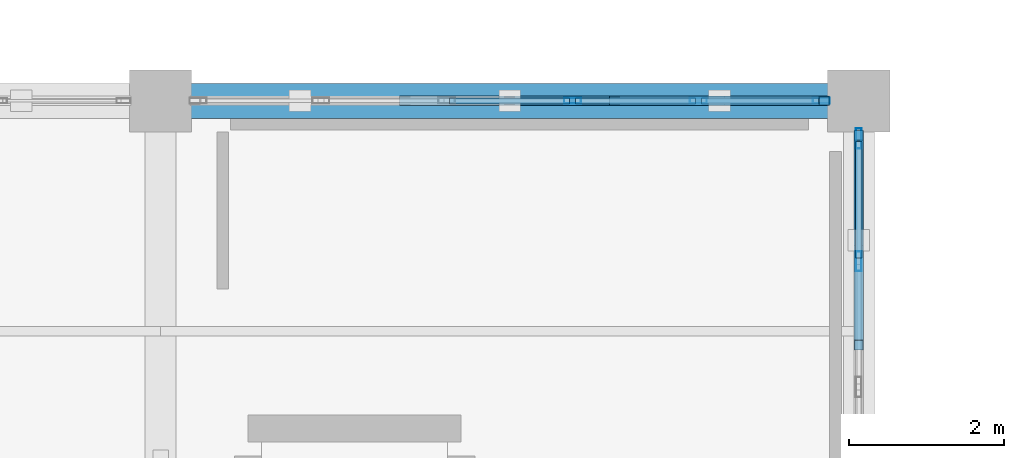
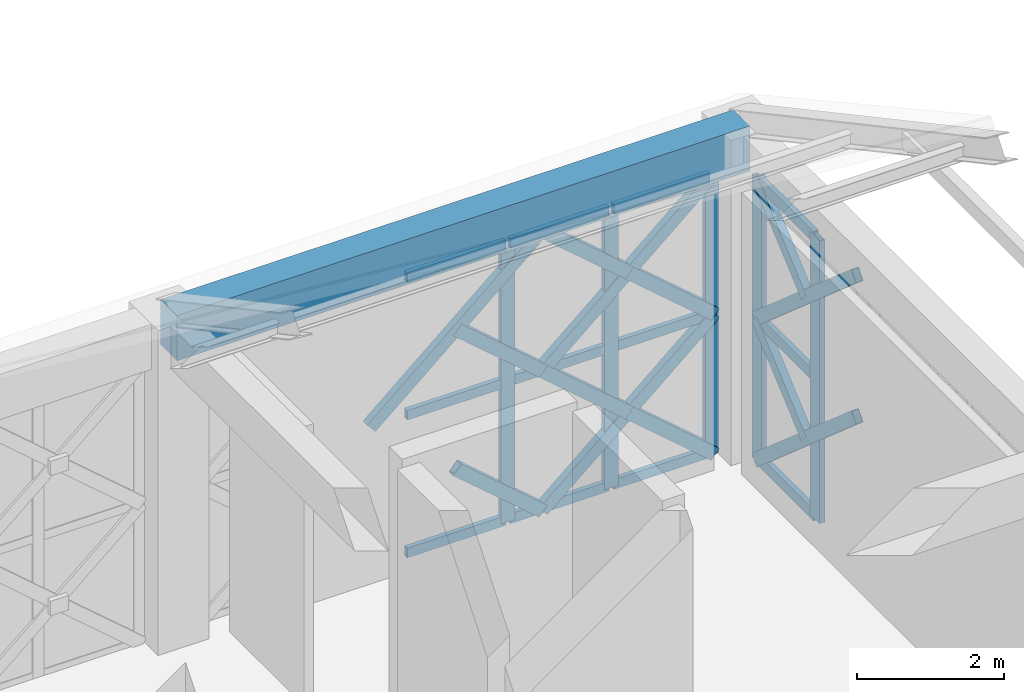
# One storey, part 60 of 86: 30 members, 1 beam, 2 elements without a shape of their own.
"""IFC4 building model written with IfcOpenShell, lengths in metres."""

from ifc_helpers import new_model, si_unit, direction, frame, origin, origin_2d, place, context, subcontext, project, spatial, rectangle, hollow_rectangle, extrude, material, material_profile, profile_set, type_object, element, aggregate, save


model = new_model("IFC4")

# Units and contexts
model_context = context("Model", 3, precision=1e-05, world=origin(), true_north=direction((0.0, 1.0)))
body_context = subcontext(model_context, "Body", "Model", "MODEL_VIEW")
ifc_project = project(units=[si_unit("LENGTHUNIT", "METRE"), si_unit("AREAUNIT", "SQUARE_METRE"), si_unit("VOLUMEUNIT", "CUBIC_METRE"), si_unit("PLANEANGLEUNIT", "RADIAN"), si_unit("MASSUNIT", "GRAM", prefix="KILO")], contexts=[model_context])

# Site, building, storey
site_placement = place(None, origin())
site = spatial("IfcSite", under=ifc_project, at=site_placement, CompositionType="ELEMENT")
building_placement = place(site_placement, origin())
building = spatial("IfcBuilding", under=site, at=building_placement, Name="Haizhuo Lancet Aquarium", CompositionType="ELEMENT")
storey_placement = place(building_placement, frame((0.0, 0.0, 16.199951171875)))
storey = spatial("IfcBuildingStorey", under=building, at=storey_placement, Name="L03", CompositionType="ELEMENT", Elevation=16.199951171875)

# Beam
ifc_material_1 = material(Name="Concrete C40/50", Category="concrete")
ifc_material_profile_1 = material_profile(ifc_material_1, rectangle(XDim=0.449951171875, YDim=0.75, at=origin_2d()), Name="RC-BM 450x750")
ifc_profile_set_1 = profile_set([ifc_material_profile_1], Name="Concrete C40/50")
beam_type = type_object("IfcBeamType", Name="BM-RC-450x750", PredefinedType="BEAM", material=ifc_profile_set_1)
beam_placement = place(storey_placement, frame((63.0, -9.0, 5.025146484375), z_axis=(1.0, 0.0, 0.0), x_axis=(0.0, 1.0, 0.0)))
element("IfcBeam", 1, at=beam_placement, inside=storey, type_object=beam_type, Name="L03 V3 primary girder BM-L03-V3-030", PredefinedType="BEAM", context=body_context, shape_type="SweptSolid", body=[
    extrude(rectangle(XDim=0.449951171875, YDim=0.75, at=origin_2d()), origin(), (0.0, 0.0, 1.0), 9.0),
])

# Curtain wall, members
ifc_material_2 = material(Name="Aluminium 6063-T6", Category="aluminium")
curtain_wall_type_1 = type_object("IfcCurtainWallType", Name="CWO-8110x4650", PredefinedType="NOTDEFINED", material=ifc_material_2)
curtain_wall_1_placement = place(storey_placement, origin())
curtain_wall_1 = element("IfcCurtainWall", 2, at=curtain_wall_1_placement, inside=storey, type_object=curtain_wall_type_1, Name="L03 curtain wall CW-V3-L03-071", PredefinedType="NOTDEFINED")
ifc_material_profile_2 = material_profile(ifc_material_2, hollow_rectangle(XDim=0.074951171875, YDim=0.219970703125, WallThickness=0.0048828125, at=origin_2d()), Name="ALU-M 75x220x5")
ifc_profile_set_2 = profile_set([ifc_material_profile_2], Name="Aluminium 6063-T6")
member_type_1 = type_object("IfcMemberType", Name="CW-MUL-2", PredefinedType="MULLION", material=ifc_profile_set_2)
member_1_placement = place(storey_placement, frame((68.31103515625, -9.0, 0.0), z_axis=(0.0, 0.0, 1.0), x_axis=(0.0, 1.0, 0.0)))
member_1 = element("IfcMember", 3, at=member_1_placement, type_object=member_type_1, Name="CWO-81x46 mullion 4", PredefinedType="MULLION", context=body_context, shape_type="SweptSolid", body=[
    extrude(hollow_rectangle(XDim=0.074951171875, YDim=0.219970703125, WallThickness=0.0048828125, at=origin_2d()), origin(), (0.0, 0.0, 1.0), 4.650146484375),
])
member_2_placement = place(storey_placement, frame((69.93310546875, -9.0, 0.0), z_axis=(0.0, 0.0, 1.0), x_axis=(0.0, 1.0, 0.0)))
member_2 = element("IfcMember", 4, at=member_2_placement, type_object=member_type_1, Name="CWO-81x46 mullion 5", PredefinedType="MULLION", context=body_context, shape_type="SweptSolid", body=[
    extrude(hollow_rectangle(XDim=0.074951171875, YDim=0.219970703125, WallThickness=0.0048828125, at=origin_2d()), origin(), (0.0, 0.0, 1.0), 4.650146484375),
])
member_3_placement = place(storey_placement, frame((71.51806640625, -9.0, 0.0), z_axis=(0.0, 0.0, 1.0), x_axis=(0.0, 1.0, 0.0)))
member_3 = element("IfcMember", 5, at=member_3_placement, type_object=member_type_1, Name="CWO-81x46 mullion 6", PredefinedType="MULLION", context=body_context, shape_type="SweptSolid", body=[
    extrude(hollow_rectangle(XDim=0.074951171875, YDim=0.219970703125, WallThickness=0.0048828125, at=origin_2d()), origin(), (0.0, 0.0, 1.0), 4.650146484375),
])

curtain_wall_type_2 = type_object("IfcCurtainWallType", Name="CWO-8110x4700", PredefinedType="NOTDEFINED", material=ifc_material_2)
curtain_wall_2_placement = place(storey_placement, origin())
curtain_wall_2 = element("IfcCurtainWall", 6, at=curtain_wall_2_placement, inside=storey, type_object=curtain_wall_type_2, Name="L03 curtain wall CW-V3-L03-072", PredefinedType="NOTDEFINED")
ifc_material_profile_3 = material_profile(ifc_material_2, hollow_rectangle(XDim=0.080078125, YDim=0.260009765625, WallThickness=0.0048828125, at=origin_2d()), Name="ALU-M 80x260x5")
ifc_profile_set_3 = profile_set([ifc_material_profile_3], Name="Aluminium 6063-T6")
member_type_2 = type_object("IfcMemberType", Name="CW-MUL-3", PredefinedType="MULLION", material=ifc_profile_set_3)
member_4_placement = place(storey_placement, frame((72.0, -9.485107421875, 0.0), z_axis=(0.0, 0.0, 1.0), x_axis=(1.0, 0.0, 0.0)))
member_4 = element("IfcMember", 7, at=member_4_placement, type_object=member_type_2, Name="CWO-81x47 mullion 1", PredefinedType="MULLION", context=body_context, shape_type="SweptSolid", body=[
    extrude(hollow_rectangle(XDim=0.080078125, YDim=0.260009765625, WallThickness=0.0048828125, at=origin_2d()), origin(), (0.0, 0.0, 1.0), 4.699951171875),
])
member_5_placement = place(storey_placement, frame((72.0, -11.06689453125, 0.0), z_axis=(0.0, 0.0, 1.0), x_axis=(1.0, 0.0, 0.0)))
member_5 = element("IfcMember", 8, at=member_5_placement, type_object=member_type_2, Name="CWO-81x47 mullion 2", PredefinedType="MULLION", context=body_context, shape_type="SweptSolid", body=[
    extrude(hollow_rectangle(XDim=0.080078125, YDim=0.260009765625, WallThickness=0.0048828125, at=origin_2d()), origin(), (0.0, 0.0, 1.0), 4.699951171875),
])

# Member
ifc_material_profile_4 = material_profile(ifc_material_2, hollow_rectangle(XDim=0.074951171875, YDim=0.159912109375, WallThickness=0.00390625, at=origin_2d()), Name="ALU-T 75x160x4")
ifc_profile_set_4 = profile_set([ifc_material_profile_4], Name="Aluminium 6063-T6")
member_type_3 = type_object("IfcMemberType", Name="CW-TRN-2", PredefinedType="NOTDEFINED", material=ifc_profile_set_4)
member_6_placement = place(storey_placement, frame((66.72705078125, -9.0, 0.0380859375), z_axis=(1.0, 0.0, 0.0), x_axis=(0.0, 1.0, 0.0)))
member_6 = element("IfcMember", 9, at=member_6_placement, type_object=member_type_3, Name="CWO-81x46 transom 3.1", ObjectType="TRANSOM", PredefinedType="USERDEFINED", context=body_context, shape_type="SweptSolid", body=[
    extrude(hollow_rectangle(XDim=0.074951171875, YDim=0.159912109375, WallThickness=0.00390625, at=origin_2d()), origin(), (0.0, 0.0, 1.0), 1.5458984375),
])

member_7_placement = place(storey_placement, frame((66.72705078125, -9.0, 2.324951171875), z_axis=(1.0, 0.0, 0.0), x_axis=(0.0, 1.0, 0.0)))
member_7 = element("IfcMember", 10, at=member_7_placement, type_object=member_type_3, Name="CWO-81x46 transom 3.2", ObjectType="TRANSOM", PredefinedType="USERDEFINED", context=body_context, shape_type="SweptSolid", body=[
    extrude(hollow_rectangle(XDim=0.074951171875, YDim=0.159912109375, WallThickness=0.00390625, at=origin_2d()), origin(), (0.0, 0.0, 1.0), 1.5458984375),
])

member_8_placement = place(storey_placement, frame((66.72705078125, -9.0, 4.612060546875), z_axis=(1.0, 0.0, 0.0), x_axis=(0.0, 1.0, 0.0)))
member_8 = element("IfcMember", 11, at=member_8_placement, type_object=member_type_3, Name="CWO-81x46 transom 3.3", ObjectType="TRANSOM", PredefinedType="USERDEFINED", context=body_context, shape_type="SweptSolid", body=[
    extrude(hollow_rectangle(XDim=0.074951171875, YDim=0.159912109375, WallThickness=0.00390625, at=origin_2d()), origin(), (0.0, 0.0, 1.0), 1.5458984375),
])

member_9_placement = place(storey_placement, frame((68.34912109375, -9.0, 0.0380859375), z_axis=(1.0, 0.0, 0.0), x_axis=(0.0, 1.0, 0.0)))
member_9 = element("IfcMember", 12, at=member_9_placement, type_object=member_type_3, Name="CWO-81x46 transom 4.1", ObjectType="TRANSOM", PredefinedType="USERDEFINED", context=body_context, shape_type="SweptSolid", body=[
    extrude(hollow_rectangle(XDim=0.074951171875, YDim=0.159912109375, WallThickness=0.00390625, at=origin_2d()), origin(), (0.0, 0.0, 1.0), 1.5458984375),
])

member_10_placement = place(storey_placement, frame((68.34912109375, -9.0, 2.324951171875), z_axis=(1.0, 0.0, 0.0), x_axis=(0.0, 1.0, 0.0)))
member_10 = element("IfcMember", 13, at=member_10_placement, type_object=member_type_3, Name="CWO-81x46 transom 4.2", ObjectType="TRANSOM", PredefinedType="USERDEFINED", context=body_context, shape_type="SweptSolid", body=[
    extrude(hollow_rectangle(XDim=0.074951171875, YDim=0.159912109375, WallThickness=0.00390625, at=origin_2d()), origin(), (0.0, 0.0, 1.0), 1.5458984375),
])

member_11_placement = place(storey_placement, frame((68.34912109375, -9.0, 4.612060546875), z_axis=(1.0, 0.0, 0.0), x_axis=(0.0, 1.0, 0.0)))
member_11 = element("IfcMember", 14, at=member_11_placement, type_object=member_type_3, Name="CWO-81x46 transom 4.3", ObjectType="TRANSOM", PredefinedType="USERDEFINED", context=body_context, shape_type="SweptSolid", body=[
    extrude(hollow_rectangle(XDim=0.074951171875, YDim=0.159912109375, WallThickness=0.00390625, at=origin_2d()), origin(), (0.0, 0.0, 1.0), 1.5458984375),
])

member_12_placement = place(storey_placement, frame((69.970947265625, -9.0, 0.0380859375), z_axis=(1.0, 0.0, 0.0), x_axis=(0.0, 1.0, 0.0)))
member_12 = element("IfcMember", 15, at=member_12_placement, type_object=member_type_3, Name="CWO-81x46 transom 5.1", ObjectType="TRANSOM", PredefinedType="USERDEFINED", context=body_context, shape_type="SweptSolid", body=[
    extrude(hollow_rectangle(XDim=0.074951171875, YDim=0.159912109375, WallThickness=0.00390625, at=origin_2d()), origin(), (0.0, 0.0, 1.0), 1.509033203125),
])

member_13_placement = place(storey_placement, frame((69.970947265625, -9.0, 2.324951171875), z_axis=(1.0, 0.0, 0.0), x_axis=(0.0, 1.0, 0.0)))
member_13 = element("IfcMember", 16, at=member_13_placement, type_object=member_type_3, Name="CWO-81x46 transom 5.2", ObjectType="TRANSOM", PredefinedType="USERDEFINED", context=body_context, shape_type="SweptSolid", body=[
    extrude(hollow_rectangle(XDim=0.074951171875, YDim=0.159912109375, WallThickness=0.00390625, at=origin_2d()), origin(), (0.0, 0.0, 1.0), 1.509033203125),
])

member_14_placement = place(storey_placement, frame((69.970947265625, -9.0, 4.612060546875), z_axis=(1.0, 0.0, 0.0), x_axis=(0.0, 1.0, 0.0)))
member_14 = element("IfcMember", 17, at=member_14_placement, type_object=member_type_3, Name="CWO-81x46 transom 5.3", ObjectType="TRANSOM", PredefinedType="USERDEFINED", context=body_context, shape_type="SweptSolid", body=[
    extrude(hollow_rectangle(XDim=0.074951171875, YDim=0.159912109375, WallThickness=0.00390625, at=origin_2d()), origin(), (0.0, 0.0, 1.0), 1.509033203125),
])

aggregate(curtain_wall_1, [member_1, member_2, member_3, member_6, member_7, member_8, member_9, member_10, member_11, member_12, member_13, member_14])

ifc_material_profile_5 = material_profile(ifc_material_2, hollow_rectangle(XDim=0.080078125, YDim=0.18994140625, WallThickness=0.0048828125, at=origin_2d()), Name="ALU-T 80x190x5")
ifc_profile_set_5 = profile_set([ifc_material_profile_5], Name="Aluminium 6063-T6")
member_type_4 = type_object("IfcMemberType", Name="CW-TRN-3", PredefinedType="NOTDEFINED", material=ifc_profile_set_5)
member_15_placement = place(storey_placement, frame((72.0, -9.52490234375, 0.0400390625), z_axis=(0.0, -1.0, 0.0), x_axis=(1.0, 0.0, 0.0)))
member_15 = element("IfcMember", 18, at=member_15_placement, type_object=member_type_4, Name="CWO-81x47 transom 1.1", ObjectType="TRANSOM", PredefinedType="USERDEFINED", context=body_context, shape_type="SweptSolid", body=[
    extrude(hollow_rectangle(XDim=0.080078125, YDim=0.18994140625, WallThickness=0.0048828125, at=origin_2d()), origin(), (0.0, 0.0, 1.0), 1.502197265625),
])

member_16_placement = place(storey_placement, frame((72.0, -9.52490234375, 2.35009765625), z_axis=(0.0, -1.0, 0.0), x_axis=(1.0, 0.0, 0.0)))
member_16 = element("IfcMember", 19, at=member_16_placement, type_object=member_type_4, Name="CWO-81x47 transom 1.2", ObjectType="TRANSOM", PredefinedType="USERDEFINED", context=body_context, shape_type="SweptSolid", body=[
    extrude(hollow_rectangle(XDim=0.080078125, YDim=0.18994140625, WallThickness=0.0048828125, at=origin_2d()), origin(), (0.0, 0.0, 1.0), 1.502197265625),
])

member_17_placement = place(storey_placement, frame((72.0, -9.52490234375, 4.66015625), z_axis=(0.0, -1.0, 0.0), x_axis=(1.0, 0.0, 0.0)))
member_17 = element("IfcMember", 20, at=member_17_placement, type_object=member_type_4, Name="CWO-81x47 transom 1.3", ObjectType="TRANSOM", PredefinedType="USERDEFINED", context=body_context, shape_type="SweptSolid", body=[
    extrude(hollow_rectangle(XDim=0.080078125, YDim=0.18994140625, WallThickness=0.0048828125, at=origin_2d()), origin(), (0.0, 0.0, 1.0), 1.502197265625),
])

aggregate(curtain_wall_2, [member_4, member_5, member_15, member_16, member_17])

# Members
ifc_material_3 = material(Name="Steel S355", Category="steel")
ifc_material_profile_6 = material_profile(ifc_material_3, hollow_rectangle(XDim=0.1201171875, YDim=0.199951171875, WallThickness=0.008056640625, at=origin_2d()), Name="RHS 120x200x8")
ifc_profile_set_6 = profile_set([ifc_material_profile_6], Name="Steel S355")
member_type_5 = type_object("IfcMemberType", Name="MEM-LB-RHS120x200", PredefinedType="BRACE", material=ifc_profile_set_6)
member_18_placement = place(storey_placement, frame((68.85205078125, -9.0, 0.0), z_axis=(-0.758366597375, 0.0, 0.651828277989), x_axis=(0.0, -1.0, 0.0)))
element("IfcMember", 21, at=member_18_placement, inside=storey, type_object=member_type_5, Name="Gothic lancet split diagonal brace CW-V3-L03-071 3B1", PredefinedType="BRACE", context=body_context, shape_type="SweptSolid", body=[
    extrude(hollow_rectangle(XDim=0.1201171875, YDim=0.199951171875, WallThickness=0.008056640625, at=origin_2d()), origin(), (0.0, 0.0, 1.0), 1.782958984375),
])
member_19_placement = place(storey_placement, frame((66.14794921875, -9.0, 2.324951171875), z_axis=(0.758231220788, 0.0, 0.651985748175), x_axis=(0.0, 1.0, 0.0)))
element("IfcMember", 22, at=member_19_placement, inside=storey, type_object=member_type_5, Name="Gothic lancet continuous diagonal brace CW-V3-L03-071 4A", PredefinedType="BRACE", context=body_context, shape_type="SweptSolid", body=[
    extrude(hollow_rectangle(XDim=0.1201171875, YDim=0.199951171875, WallThickness=0.008056640625, at=origin_2d()), origin(), (0.0, 0.0, 1.0), 3.56640625),
])
member_20_placement = place(storey_placement, frame((68.85205078125, -9.0, 2.324951171875), z_axis=(-0.75809585985, 0.0, 0.652143134042), x_axis=(0.0, -1.0, 0.0)))
element("IfcMember", 23, at=member_20_placement, inside=storey, type_object=member_type_5, Name="Gothic lancet split diagonal brace CW-V3-L03-071 4B1", PredefinedType="BRACE", context=body_context, shape_type="SweptSolid", body=[
    extrude(hollow_rectangle(XDim=0.1201171875, YDim=0.199951171875, WallThickness=0.008056640625, at=origin_2d()), origin(), (0.0, 0.0, 1.0), 1.783447265625),
])
member_21_placement = place(storey_placement, frame((68.85205078125, -9.0, 0.0), z_axis=(0.758119517235, 0.0, 0.652115632068), x_axis=(0.0, 1.0, 0.0)))
element("IfcMember", 24, at=member_21_placement, inside=storey, type_object=member_type_5, Name="Gothic lancet continuous diagonal brace CW-V3-L03-071 5A", PredefinedType="BRACE", context=body_context, shape_type="SweptSolid", body=[
    extrude(hollow_rectangle(XDim=0.1201171875, YDim=0.199951171875, WallThickness=0.008056640625, at=origin_2d()), origin(), (0.0, 0.0, 1.0), 3.565185546875),
])
member_22_placement = place(storey_placement, frame((71.554931640625, -9.0, 0.0), z_axis=(-0.758075457988, 0.0, 0.652166849814), x_axis=(0.0, -1.0, 0.0)))
element("IfcMember", 25, at=member_22_placement, inside=storey, type_object=member_type_5, Name="Gothic lancet split diagonal brace CW-V3-L03-071 5B1", PredefinedType="BRACE", context=body_context, shape_type="SweptSolid", body=[
    extrude(hollow_rectangle(XDim=0.1201171875, YDim=0.199951171875, WallThickness=0.008056640625, at=origin_2d()), origin(), (0.0, 0.0, 1.0), 1.781982421875),
])
member_23_placement = place(storey_placement, frame((70.2041015625, -9.0, 1.162109375), z_axis=(-0.758163538361, 0.0, 0.652064451646), x_axis=(0.0, -1.0, 0.0)))
element("IfcMember", 26, at=member_23_placement, inside=storey, type_object=member_type_5, Name="Gothic lancet split diagonal brace CW-V3-L03-071 5B2", PredefinedType="BRACE", context=body_context, shape_type="SweptSolid", body=[
    extrude(hollow_rectangle(XDim=0.1201171875, YDim=0.199951171875, WallThickness=0.008056640625, at=origin_2d()), origin(), (0.0, 0.0, 1.0), 1.783203125),
])
member_24_placement = place(storey_placement, frame((68.85205078125, -9.0, 2.324951171875), z_axis=(0.758085663481, 0.0, 0.652154986812), x_axis=(0.0, 1.0, 0.0)))
element("IfcMember", 27, at=member_24_placement, inside=storey, type_object=member_type_5, Name="Gothic lancet continuous diagonal brace CW-V3-L03-071 6A", PredefinedType="BRACE", context=body_context, shape_type="SweptSolid", body=[
    extrude(hollow_rectangle(XDim=0.1201171875, YDim=0.199951171875, WallThickness=0.008056640625, at=origin_2d()), origin(), (0.0, 0.0, 1.0), 3.5654296875),
])
member_25_placement = place(storey_placement, frame((71.554931640625, -9.0, 2.324951171875), z_axis=(-0.757804543333, 0.0, 0.652481627407), x_axis=(0.0, -1.0, 0.0)))
element("IfcMember", 28, at=member_25_placement, inside=storey, type_object=member_type_5, Name="Gothic lancet split diagonal brace CW-V3-L03-071 6B1", PredefinedType="BRACE", context=body_context, shape_type="SweptSolid", body=[
    extrude(hollow_rectangle(XDim=0.1201171875, YDim=0.199951171875, WallThickness=0.008056640625, at=origin_2d()), origin(), (0.0, 0.0, 1.0), 1.782470703125),
])
member_26_placement = place(storey_placement, frame((70.2041015625, -9.0, 3.488037109375), z_axis=(-0.758366597375, 0.0, 0.651828277989), x_axis=(0.0, -1.0, 0.0)))
element("IfcMember", 29, at=member_26_placement, inside=storey, type_object=member_type_5, Name="Gothic lancet split diagonal brace CW-V3-L03-071 6B2", PredefinedType="BRACE", context=body_context, shape_type="SweptSolid", body=[
    extrude(hollow_rectangle(XDim=0.1201171875, YDim=0.199951171875, WallThickness=0.008056640625, at=origin_2d()), origin(), (0.0, 0.0, 1.0), 1.782958984375),
])
member_27_placement = place(storey_placement, frame((72.0, -9.445068359375, 0.0), z_axis=(0.0, -0.754637805349, 0.656141587417), x_axis=(1.0, 0.0, 0.0)))
element("IfcMember", 30, at=member_27_placement, inside=storey, type_object=member_type_5, Name="Gothic lancet continuous diagonal brace CW-V3-L03-072 1A", PredefinedType="BRACE", context=body_context, shape_type="SweptSolid", body=[
    extrude(hollow_rectangle(XDim=0.1201171875, YDim=0.199951171875, WallThickness=0.008056640625, at=origin_2d()), origin(), (0.0, 0.0, 1.0), 3.581787109375),
])
member_28_placement = place(storey_placement, frame((72.0, -10.7958984375, 1.175048828125), z_axis=(0.0, 0.754491019428, 0.656310369873), x_axis=(-1.0, 0.0, 0.0)))
element("IfcMember", 31, at=member_28_placement, inside=storey, type_object=member_type_5, Name="Gothic lancet split diagonal brace CW-V3-L03-072 1B2", PredefinedType="BRACE", context=body_context, shape_type="SweptSolid", body=[
    extrude(hollow_rectangle(XDim=0.1201171875, YDim=0.199951171875, WallThickness=0.008056640625, at=origin_2d()), origin(), (0.0, 0.0, 1.0), 1.790283203125),
])
member_29_placement = place(storey_placement, frame((72.0, -9.445068359375, 2.35009765625), z_axis=(0.0, -0.754671556952, 0.6561027672), x_axis=(1.0, 0.0, 0.0)))
element("IfcMember", 32, at=member_29_placement, inside=storey, type_object=member_type_5, Name="Gothic lancet continuous diagonal brace CW-V3-L03-072 2A", PredefinedType="BRACE", context=body_context, shape_type="SweptSolid", body=[
    extrude(hollow_rectangle(XDim=0.1201171875, YDim=0.199951171875, WallThickness=0.008056640625, at=origin_2d()), origin(), (0.0, 0.0, 1.0), 3.58154296875),
])
member_30_placement = place(storey_placement, frame((72.0, -10.7958984375, 3.525146484375), z_axis=(0.0, 0.754558545257, 0.656232734462), x_axis=(-1.0, 0.0, 0.0)))
element("IfcMember", 33, at=member_30_placement, inside=storey, type_object=member_type_5, Name="Gothic lancet split diagonal brace CW-V3-L03-072 2B2", PredefinedType="BRACE", context=body_context, shape_type="SweptSolid", body=[
    extrude(hollow_rectangle(XDim=0.1201171875, YDim=0.199951171875, WallThickness=0.008056640625, at=origin_2d()), origin(), (0.0, 0.0, 1.0), 1.790283203125),
])

save(model, "model.ifc")
